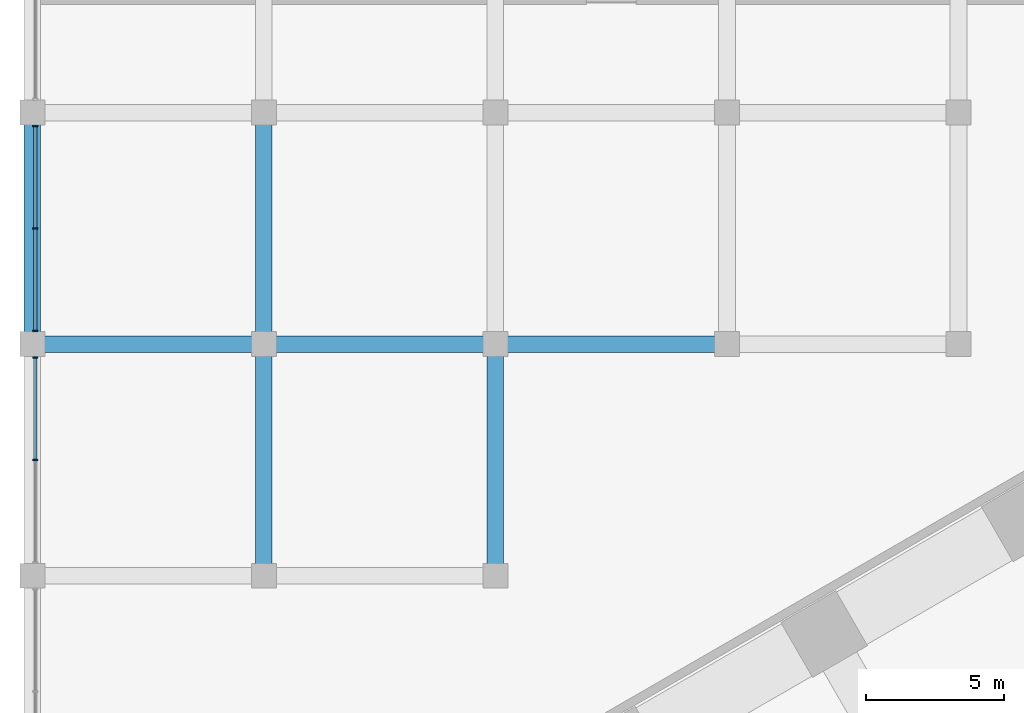
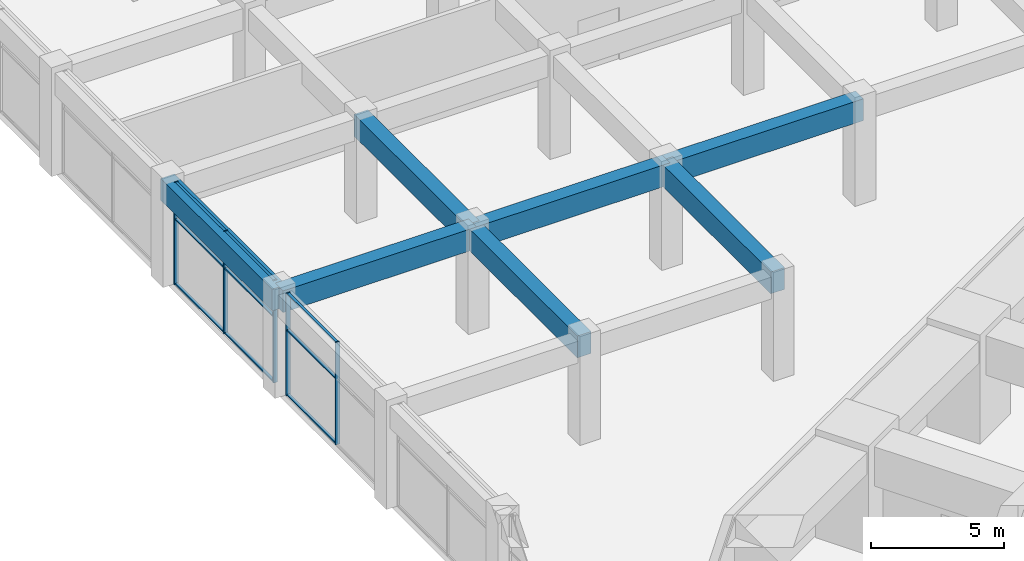
# One storey, part 7 of 34: 14 members, 7 beams, 2 elements without a shape of their own.
"""IFC4 building model written with IfcOpenShell, lengths in metres."""

from ifc_helpers import new_model, si_unit, direction, frame, origin, origin_2d, place, context, subcontext, project, spatial, rectangle, extrude, material, material_profile, profile_set, type_object, element, aggregate, save


model = new_model("IFC4")

# Units and contexts
model_context = context("Model", 3, precision=1e-05, world=origin(), true_north=direction((0.0, 1.0)))
body_context = subcontext(model_context, "Body", "Model", "MODEL_VIEW")
ifc_project = project(units=[si_unit("LENGTHUNIT", "METRE"), si_unit("AREAUNIT", "SQUARE_METRE"), si_unit("VOLUMEUNIT", "CUBIC_METRE"), si_unit("PLANEANGLEUNIT", "RADIAN"), si_unit("MASSUNIT", "GRAM", prefix="KILO")], contexts=[model_context])

# Site, building, storey
site_placement = place(None, origin())
site = spatial("IfcSite", under=ifc_project, at=site_placement, CompositionType="ELEMENT")
building_placement = place(site_placement, origin())
building = spatial("IfcBuilding", under=site, at=building_placement, Name="Impinga Residences", CompositionType="ELEMENT")
storey_placement = place(building_placement, frame((0.0, 0.0, 11.0)))
storey = spatial("IfcBuildingStorey", under=building, at=storey_placement, Name="L02", CompositionType="ELEMENT", Elevation=11.0)

# Curtain wall, members
ifc_material_1 = material(Name="Aluminium stick curtain wall", Category="aluminium")
curtain_wall_type = type_object("IfcCurtainWallType", Name="CW1 podium amenity curtain wall", PredefinedType="USERDEFINED", material=ifc_material_1)
curtain_wall_1_placement = place(storey_placement, origin())
curtain_wall_1 = element("IfcCurtainWall", 1, at=curtain_wall_1_placement, inside=storey, type_object=curtain_wall_type, Name="Curtain wall CW1 L02", ObjectType="STICK CURTAIN WALL", PredefinedType="USERDEFINED")
ifc_material_2 = material(Name="Aluminium mullion", Category="aluminium")
ifc_material_profile_1 = material_profile(ifc_material_2, rectangle(XDim=0.06005859375, YDim=0.179931640625, at=origin_2d()), Name="60x180 mullion")
ifc_profile_set_1 = profile_set([ifc_material_profile_1], Name="Aluminium mullion")
member_type_1 = type_object("IfcMemberType", Name="CW1-M mullion 60x180", PredefinedType="MULLION", material=ifc_profile_set_1)
member_1_placement = place(storey_placement, frame((-50.300048828125, 4.199951171875, 0.0), z_axis=(0.0, 0.0, 1.0), x_axis=(0.0, 1.0, 0.0)))
member_1 = element("IfcMember", 2, at=member_1_placement, type_object=member_type_1, Name="CW1 mullion 2", PredefinedType="MULLION", context=body_context, shape_type="SweptSolid", body=[
    extrude(rectangle(XDim=0.06005859375, YDim=0.179931640625, at=origin_2d()), origin(), (0.0, 0.0, 1.0), 4.699951171875),
])
member_2_placement = place(storey_placement, frame((-50.300048828125, 7.9169921875, 0.0), z_axis=(0.0, 0.0, 1.0), x_axis=(0.0, 1.0, 0.0)))
member_2 = element("IfcMember", 3, at=member_2_placement, type_object=member_type_1, Name="CW1 mullion 3", PredefinedType="MULLION", context=body_context, shape_type="SweptSolid", body=[
    extrude(rectangle(XDim=0.06005859375, YDim=0.179931640625, at=origin_2d()), origin(), (0.0, 0.0, 1.0), 4.699951171875),
])

curtain_wall_2_placement = place(storey_placement, origin())
curtain_wall_2 = element("IfcCurtainWall", 4, at=curtain_wall_2_placement, inside=storey, type_object=curtain_wall_type, Name="Curtain wall CW1 L02", ObjectType="STICK CURTAIN WALL", PredefinedType="USERDEFINED")
member_3_placement = place(storey_placement, frame((-50.300048828125, 8.883056640625, 0.0), z_axis=(0.0, 0.0, 1.0), x_axis=(0.0, 1.0, 0.0)))
member_3 = element("IfcMember", 5, at=member_3_placement, type_object=member_type_1, Name="CW1 mullion 1", PredefinedType="MULLION", context=body_context, shape_type="SweptSolid", body=[
    extrude(rectangle(XDim=0.06005859375, YDim=0.179931640625, at=origin_2d()), origin(), (0.0, 0.0, 1.0), 4.699951171875),
])
member_4_placement = place(storey_placement, frame((-50.300048828125, 12.60009765625, 0.0), z_axis=(0.0, 0.0, 1.0), x_axis=(0.0, 1.0, 0.0)))
member_4 = element("IfcMember", 6, at=member_4_placement, type_object=member_type_1, Name="CW1 mullion 2", PredefinedType="MULLION", context=body_context, shape_type="SweptSolid", body=[
    extrude(rectangle(XDim=0.06005859375, YDim=0.179931640625, at=origin_2d()), origin(), (0.0, 0.0, 1.0), 4.699951171875),
])
member_5_placement = place(storey_placement, frame((-50.300048828125, 16.31689453125, 0.0), z_axis=(0.0, 0.0, 1.0), x_axis=(0.0, 1.0, 0.0)))
member_5 = element("IfcMember", 7, at=member_5_placement, type_object=member_type_1, Name="CW1 mullion 3", PredefinedType="MULLION", context=body_context, shape_type="SweptSolid", body=[
    extrude(rectangle(XDim=0.06005859375, YDim=0.179931640625, at=origin_2d()), origin(), (0.0, 0.0, 1.0), 4.699951171875),
])

# Member
ifc_material_3 = material(Name="Aluminium transom", Category="aluminium")
ifc_material_profile_2 = material_profile(ifc_material_3, rectangle(XDim=0.06005859375, YDim=0.1201171875, at=origin_2d()), Name="60x120 transom")
ifc_profile_set_2 = profile_set([ifc_material_profile_2], Name="Aluminium transom")
member_type_2 = type_object("IfcMemberType", Name="CW1-T transom 60x120", PredefinedType="USERDEFINED", material=ifc_profile_set_2)
member_6_placement = place(storey_placement, frame((-50.300048828125, 4.22998046875, 0.030029296875), z_axis=(0.0, 1.0, 0.0), x_axis=(0.0, 0.0, 1.0)))
member_6 = element("IfcMember", 8, at=member_6_placement, type_object=member_type_2, Name="CW1 transom 2.1", ObjectType="TRANSOM", PredefinedType="USERDEFINED", context=body_context, shape_type="SweptSolid", body=[
    extrude(rectangle(XDim=0.06005859375, YDim=0.1201171875, at=origin_2d()), origin(), (0.0, 0.0, 1.0), 3.656982421875),
])

member_7_placement = place(storey_placement, frame((-50.300048828125, 4.22998046875, 3.0), z_axis=(0.0, 1.0, 0.0), x_axis=(0.0, 0.0, 1.0)))
member_7 = element("IfcMember", 9, at=member_7_placement, type_object=member_type_2, Name="CW1 transom 2.2", ObjectType="TRANSOM", PredefinedType="USERDEFINED", context=body_context, shape_type="SweptSolid", body=[
    extrude(rectangle(XDim=0.06005859375, YDim=0.1201171875, at=origin_2d()), origin(), (0.0, 0.0, 1.0), 3.656982421875),
])

member_8_placement = place(storey_placement, frame((-50.300048828125, 4.22998046875, 4.669921875), z_axis=(0.0, 1.0, 0.0), x_axis=(0.0, 0.0, 1.0)))
member_8 = element("IfcMember", 10, at=member_8_placement, type_object=member_type_2, Name="CW1 transom 2.3", ObjectType="TRANSOM", PredefinedType="USERDEFINED", context=body_context, shape_type="SweptSolid", body=[
    extrude(rectangle(XDim=0.06005859375, YDim=0.1201171875, at=origin_2d()), origin(), (0.0, 0.0, 1.0), 3.656982421875),
])

aggregate(curtain_wall_1, [member_1, member_2, member_6, member_7, member_8])

member_9_placement = place(storey_placement, frame((-50.300048828125, 8.9130859375, 0.030029296875), z_axis=(0.0, 1.0, 0.0), x_axis=(0.0, 0.0, 1.0)))
member_9 = element("IfcMember", 11, at=member_9_placement, type_object=member_type_2, Name="CW1 transom 1.1", ObjectType="TRANSOM", PredefinedType="USERDEFINED", context=body_context, shape_type="SweptSolid", body=[
    extrude(rectangle(XDim=0.06005859375, YDim=0.1201171875, at=origin_2d()), origin(), (0.0, 0.0, 1.0), 3.656982421875),
])

member_10_placement = place(storey_placement, frame((-50.300048828125, 8.9130859375, 3.0), z_axis=(0.0, 1.0, 0.0), x_axis=(0.0, 0.0, 1.0)))
member_10 = element("IfcMember", 12, at=member_10_placement, type_object=member_type_2, Name="CW1 transom 1.2", ObjectType="TRANSOM", PredefinedType="USERDEFINED", context=body_context, shape_type="SweptSolid", body=[
    extrude(rectangle(XDim=0.06005859375, YDim=0.1201171875, at=origin_2d()), origin(), (0.0, 0.0, 1.0), 3.656982421875),
])

member_11_placement = place(storey_placement, frame((-50.300048828125, 8.9130859375, 4.669921875), z_axis=(0.0, 1.0, 0.0), x_axis=(0.0, 0.0, 1.0)))
member_11 = element("IfcMember", 13, at=member_11_placement, type_object=member_type_2, Name="CW1 transom 1.3", ObjectType="TRANSOM", PredefinedType="USERDEFINED", context=body_context, shape_type="SweptSolid", body=[
    extrude(rectangle(XDim=0.06005859375, YDim=0.1201171875, at=origin_2d()), origin(), (0.0, 0.0, 1.0), 3.656982421875),
])

member_12_placement = place(storey_placement, frame((-50.300048828125, 12.6298828125, 0.030029296875), z_axis=(0.0, 1.0, 0.0), x_axis=(0.0, 0.0, 1.0)))
member_12 = element("IfcMember", 14, at=member_12_placement, type_object=member_type_2, Name="CW1 transom 2.1", ObjectType="TRANSOM", PredefinedType="USERDEFINED", context=body_context, shape_type="SweptSolid", body=[
    extrude(rectangle(XDim=0.06005859375, YDim=0.1201171875, at=origin_2d()), origin(), (0.0, 0.0, 1.0), 3.6572265625),
])

member_13_placement = place(storey_placement, frame((-50.300048828125, 12.6298828125, 3.0), z_axis=(0.0, 1.0, 0.0), x_axis=(0.0, 0.0, 1.0)))
member_13 = element("IfcMember", 15, at=member_13_placement, type_object=member_type_2, Name="CW1 transom 2.2", ObjectType="TRANSOM", PredefinedType="USERDEFINED", context=body_context, shape_type="SweptSolid", body=[
    extrude(rectangle(XDim=0.06005859375, YDim=0.1201171875, at=origin_2d()), origin(), (0.0, 0.0, 1.0), 3.6572265625),
])

member_14_placement = place(storey_placement, frame((-50.300048828125, 12.6298828125, 4.669921875), z_axis=(0.0, 1.0, 0.0), x_axis=(0.0, 0.0, 1.0)))
member_14 = element("IfcMember", 16, at=member_14_placement, type_object=member_type_2, Name="CW1 transom 2.3", ObjectType="TRANSOM", PredefinedType="USERDEFINED", context=body_context, shape_type="SweptSolid", body=[
    extrude(rectangle(XDim=0.06005859375, YDim=0.1201171875, at=origin_2d()), origin(), (0.0, 0.0, 1.0), 3.6572265625),
])

aggregate(curtain_wall_2, [member_3, member_4, member_5, member_9, member_10, member_11, member_12, member_13, member_14])

# Beams
ifc_material_4 = material(Name="Concrete C60/75", Category="concrete")
ifc_material_profile_3 = material_profile(ifc_material_4, rectangle(XDim=0.60009765625, YDim=1.0, at=origin_2d()), Name="RC 600x1000")
ifc_profile_set_3 = profile_set([ifc_material_profile_3], Name="Concrete C60/75")
beam_type = type_object("IfcBeamType", Name="PB2 600x1000 podium beam", PredefinedType="BEAM", material=ifc_profile_set_3)
for number, where, z_axis, x_axis, name in (
    (17, (-50.39990234375, 8.39990234375, 4.199951171875), (1.0, 0.0, 0.0), (0.0, 1.0, 0.0), "Beam PB2 G/1-2 level L03"),
    (18, (-42.0, 8.39990234375, 4.199951171875), (1.0, 0.0, 0.0), (0.0, 1.0, 0.0), "Beam PB2 G/2-3 level L03"),
):
    element("IfcBeam", number, at=place(storey_placement, frame(where, z_axis=z_axis, x_axis=x_axis)), inside=storey, type_object=beam_type, Name=name, PredefinedType="BEAM", context=body_context, shape_type="SweptSolid", body=[
        extrude(rectangle(XDim=0.60009765625, YDim=1.0, at=origin_2d()), origin(), (0.0, 0.0, 1.0), 8.39990234375),
    ])
for number, where, z_axis, x_axis, name in (
    (19, (-33.60009765625, 8.39990234375, 4.199951171875), (1.0, 0.0, 0.0), (0.0, 1.0, 0.0), "Beam PB2 G/3-4 level L03"),
    (20, (-50.39990234375, 8.39990234375, 4.199951171875), (0.0, 1.0, 0.0), (-1.0, 0.0, 0.0), "Beam PB2 1/G-H level L03"),
):
    element("IfcBeam", number, at=place(storey_placement, frame(where, z_axis=z_axis, x_axis=x_axis)), inside=storey, type_object=beam_type, Name=name, PredefinedType="BEAM", context=body_context, shape_type="SweptSolid", body=[
        extrude(rectangle(XDim=0.60009765625, YDim=1.0, at=origin_2d()), origin(), (0.0, 0.0, 1.0), 8.400146484375),
    ])
beam_1_placement = place(storey_placement, frame((-42.0, 0.0, 4.199951171875), z_axis=(0.0, 1.0, 0.0), x_axis=(-1.0, 0.0, 0.0)))
element("IfcBeam", 21, at=beam_1_placement, inside=storey, type_object=beam_type, Name="Beam PB2 2/F-G level L03", PredefinedType="BEAM", context=body_context, shape_type="SweptSolid", body=[
    extrude(rectangle(XDim=0.60009765625, YDim=1.0, at=origin_2d()), origin(), (0.0, 0.0, 1.0), 8.39990234375),
])
beam_2_placement = place(storey_placement, frame((-42.0, 8.39990234375, 4.199951171875), z_axis=(0.0, 1.0, 0.0), x_axis=(-1.0, 0.0, 0.0)))
element("IfcBeam", 22, at=beam_2_placement, inside=storey, type_object=beam_type, Name="Beam PB2 2/G-H level L03", PredefinedType="BEAM", context=body_context, shape_type="SweptSolid", body=[
    extrude(rectangle(XDim=0.60009765625, YDim=1.0, at=origin_2d()), origin(), (0.0, 0.0, 1.0), 8.400146484375),
])
beam_3_placement = place(storey_placement, frame((-33.60009765625, 0.0, 4.199951171875), z_axis=(0.0, 1.0, 0.0), x_axis=(-1.0, 0.0, 0.0)))
element("IfcBeam", 23, at=beam_3_placement, inside=storey, type_object=beam_type, Name="Beam PB2 3/F-G level L03", PredefinedType="BEAM", context=body_context, shape_type="SweptSolid", body=[
    extrude(rectangle(XDim=0.60009765625, YDim=1.0, at=origin_2d()), origin(), (0.0, 0.0, 1.0), 8.39990234375),
])

save(model, "model.ifc")
